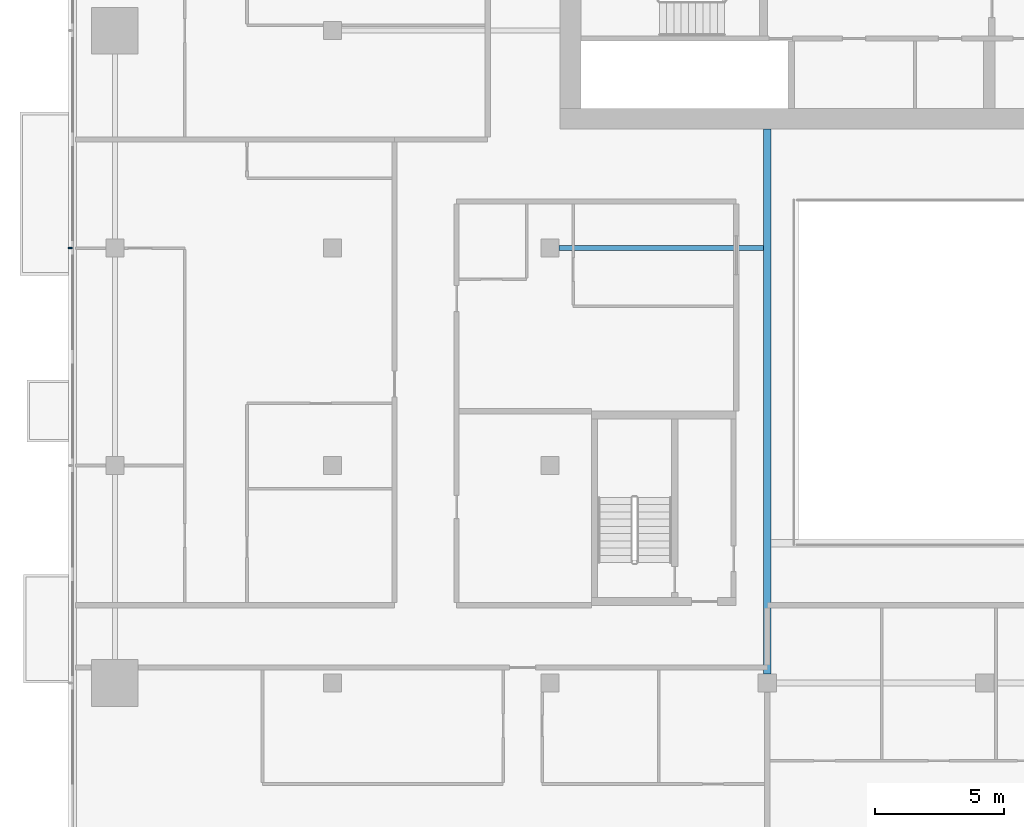
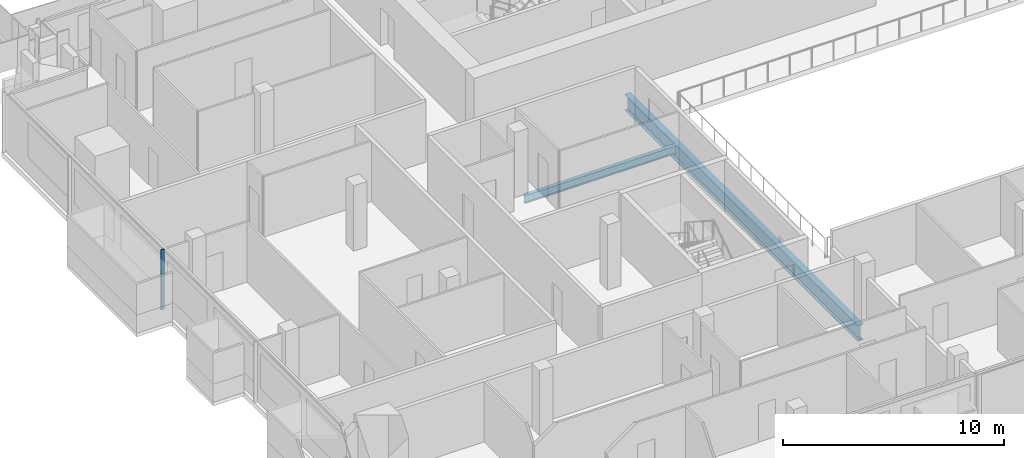
# One storey, part 4 of 30: 2 beams, 1 member, 1 element without a shape of its own.
"""IFC4 building model written with IfcOpenShell, lengths in metres."""

from ifc_helpers import new_model, si_unit, direction, frame, origin, origin_2d, place, context, subcontext, project, spatial, rectangle, i_section, extrude, material, material_profile, profile_set, type_object, element, aggregate, save


model = new_model("IFC4")

# Units and contexts
model_context = context("Model", 3, precision=1e-05, world=origin(), true_north=direction((0.0, 1.0)))
body_context = subcontext(model_context, "Body", "Model", "MODEL_VIEW")
ifc_project = project(units=[si_unit("LENGTHUNIT", "METRE"), si_unit("AREAUNIT", "SQUARE_METRE"), si_unit("VOLUMEUNIT", "CUBIC_METRE"), si_unit("PLANEANGLEUNIT", "RADIAN"), si_unit("MASSUNIT", "GRAM", prefix="KILO")], contexts=[model_context])

# Site, building, storey
site_placement = place(None, origin())
site = spatial("IfcSite", under=ifc_project, at=site_placement, CompositionType="ELEMENT")
building_placement = place(site_placement, origin())
building = spatial("IfcBuilding", under=site, at=building_placement, Name="Saffron Gate Tower", CompositionType="ELEMENT")
storey_placement = place(building_placement, frame((0.0, 0.0, 158.25)))
storey = spatial("IfcBuildingStorey", under=building, at=storey_placement, Name="L38", CompositionType="ELEMENT", Elevation=158.25)

# Beams
ifc_material_1 = material(Name="Structural steel S355", Category="steel")
ifc_material_profile_1 = material_profile(ifc_material_1, i_section(OverallWidth=0.300048828125, OverallDepth=0.889892578125, WebThickness=0.01611328125, FlangeThickness=0.030029296875, FilletRadius=0.030029296875, at=origin_2d()))
ifc_profile_set_1 = profile_set([ifc_material_profile_1], Name="Structural steel S355")
beam_type_1 = type_object("IfcBeamType", Name="B19 HEA 900", PredefinedType="BEAM", material=ifc_profile_set_1)
beam_1_placement = place(storey_placement, frame((75.0, 40.550048828125, -0.72509765625), z_axis=(0.0, 1.0, 0.0), x_axis=(-1.0, 0.0, 0.0)))
element("IfcBeam", 1, at=beam_1_placement, inside=storey, type_object=beam_type_1, Name="B19 ATRIUM GIRDER", PredefinedType="BEAM", context=body_context, shape_type="SweptSolid", body=[
    extrude(i_section(OverallWidth=0.300048828125, OverallDepth=0.889892578125, WebThickness=0.01611328125, FlangeThickness=0.030029296875, FilletRadius=0.030029296875, at=origin_2d()), origin(), (0.0, 0.0, 1.0), 21.050048828125),
])
ifc_material_profile_2 = material_profile(ifc_material_1, i_section(OverallWidth=0.18994140625, OverallDepth=0.449951171875, WebThickness=0.009521484375, FlangeThickness=0.0146484375, FilletRadius=0.02099609375, at=origin_2d()))
ifc_profile_set_2 = profile_set([ifc_material_profile_2], Name="Structural steel S355")
beam_type_2 = type_object("IfcBeamType", Name="B6 IPE 450", PredefinedType="BEAM", material=ifc_profile_set_2)
beam_2_placement = place(storey_placement, frame((66.949951171875, 57.0, -0.5048828125), z_axis=(1.0, 0.0, 0.0), x_axis=(0.0, 1.0, 0.0)))
element("IfcBeam", 2, at=beam_2_placement, inside=storey, type_object=beam_type_2, Name="B6 CORE TIE BEAM", PredefinedType="BEAM", context=body_context, shape_type="SweptSolid", body=[
    extrude(i_section(OverallWidth=0.18994140625, OverallDepth=0.449951171875, WebThickness=0.009521484375, FlangeThickness=0.0146484375, FilletRadius=0.02099609375, at=origin_2d()), origin(), (0.0, 0.0, 1.0), 7.900146484375),
])

# Curtain wall, member
ifc_material_2 = material(Name="Aluminium, bronze anodised", Category="aluminium")
curtain_wall_type = type_object("IfcCurtainWallType", Name="CWS2 curtain wall side facades", PredefinedType="NOTDEFINED", material=ifc_material_2)
curtain_wall_placement = place(storey_placement, origin())
curtain_wall = element("IfcCurtainWall", 3, at=curtain_wall_placement, inside=storey, type_object=curtain_wall_type, Name="CWS2 run 10", PredefinedType="NOTDEFINED")
ifc_material_profile_3 = material_profile(ifc_material_2, rectangle(XDim=0.159912109375, YDim=0.06005859375, at=origin_2d()))
ifc_profile_set_3 = profile_set([ifc_material_profile_3], Name="Aluminium, bronze anodised")
member_type = type_object("IfcMemberType", Name="CWS2 mullion 60x160", PredefinedType="MULLION", material=ifc_profile_set_3)
member_placement = place(storey_placement, frame((48.080078125, 57.0, 0.0), z_axis=(0.0, 0.0, 1.0), x_axis=(1.0, 0.0, 0.0)))
member = element("IfcMember", 4, at=member_placement, type_object=member_type, Name="CWS2 mullion 3", PredefinedType="MULLION", context=body_context, shape_type="SweptSolid", body=[
    extrude(rectangle(XDim=0.159912109375, YDim=0.06005859375, at=origin_2d()), origin(), (0.0, 0.0, 1.0), 3.320068359375),
])
aggregate(curtain_wall, [member])

save(model, "model.ifc")
